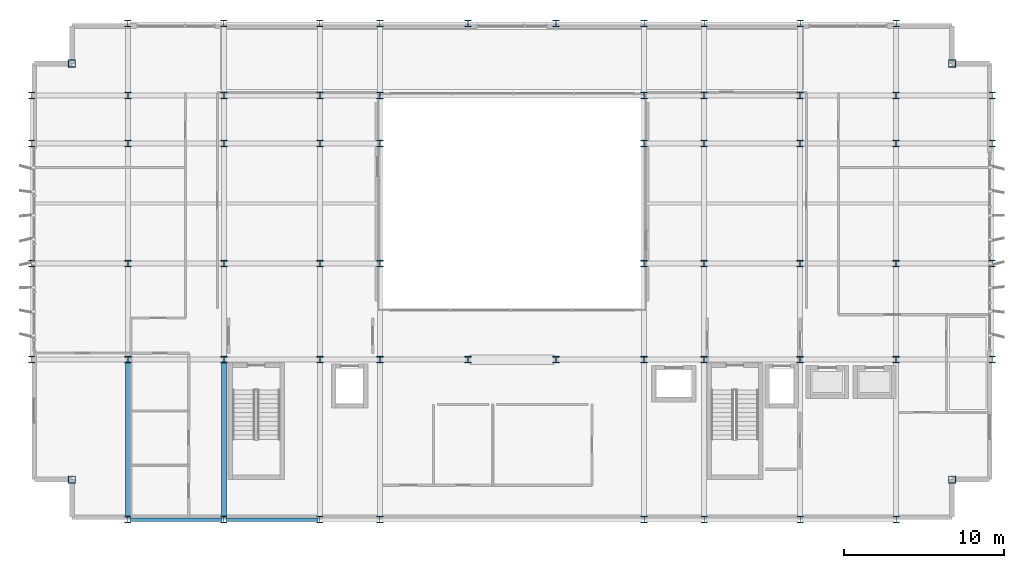
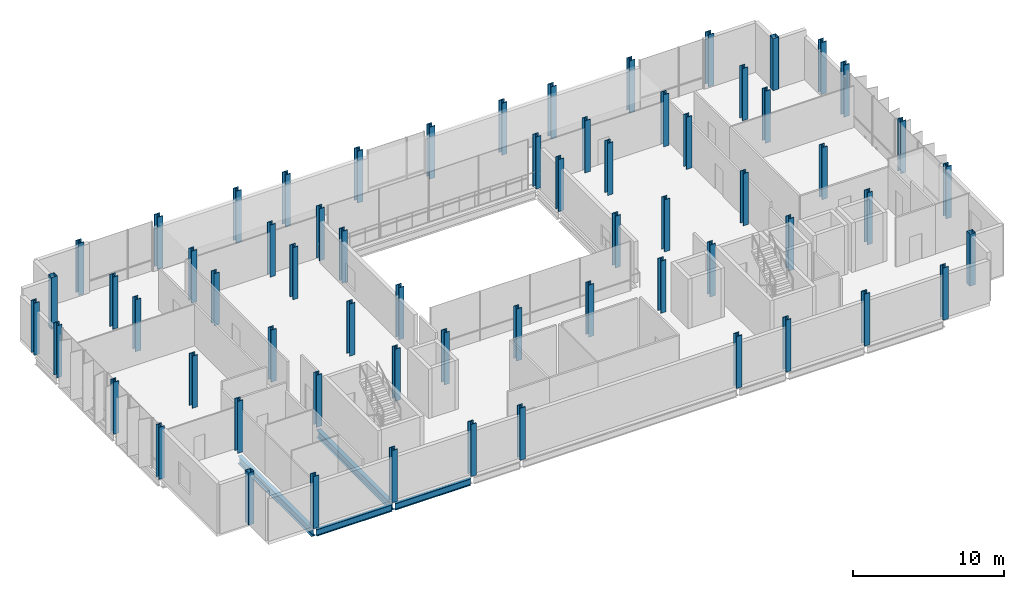
# One storey, part 1 of 32: 64 columns, 4 beams.
"""IFC4 building model written with IfcOpenShell, lengths in metres."""

from ifc_helpers import new_model, si_unit, direction, frame, origin, origin_2d, place, context, subcontext, project, spatial, hollow_rectangle, i_section, extrude, material, material_profile, profile_set, type_object, element, save


model = new_model("IFC4")

# Units and contexts
model_context = context("Model", 3, precision=1e-05, world=origin(), true_north=direction((0.0, 1.0)))
body_context = subcontext(model_context, "Body", "Model", "MODEL_VIEW")
ifc_project = project(units=[si_unit("LENGTHUNIT", "METRE"), si_unit("AREAUNIT", "SQUARE_METRE"), si_unit("VOLUMEUNIT", "CUBIC_METRE"), si_unit("PLANEANGLEUNIT", "RADIAN"), si_unit("MASSUNIT", "GRAM", prefix="KILO")], contexts=[model_context])

# Site, building, storey
site_placement = place(None, origin())
site = spatial("IfcSite", under=ifc_project, at=site_placement, CompositionType="ELEMENT")
building_placement = place(site_placement, origin())
building = spatial("IfcBuilding", under=site, at=building_placement, Name="Brevholm Reach", CompositionType="ELEMENT")
storey_placement = place(building_placement, frame((0.0, 0.0, 134.5)))
storey = spatial("IfcBuildingStorey", under=building, at=storey_placement, Name="L40", CompositionType="ELEMENT", Elevation=134.5)

# Columns
ifc_material_1 = material(Name="Structural Steel S460NH", Category="steel")
ifc_material_profile_1 = material_profile(ifc_material_1, hollow_rectangle(XDim=0.449951171875, YDim=0.449951171875, WallThickness=0.02490234375, InnerFilletRadius=0.011962890625, OuterFilletRadius=0.02392578125, at=origin_2d()), Name="SHS 450x450x25")
ifc_profile_set_1 = profile_set([ifc_material_profile_1], Name="Structural Steel S460NH")
column_type_1 = type_object("IfcColumnType", Name="COL-SHS1", PredefinedType="COLUMN", material=ifc_profile_set_1)
for number, where, z_axis, x_axis, name in (
    (1, (2.5, 2.5, 0.0), (0.0, 0.0, 1.0), (1.0, 0.0, 0.0), "L40 Column 05"),
    (2, (2.5, 28.5, 0.0), (0.0, 0.0, 1.0), (1.0, 0.0, 0.0), "L40 Column 06"),
    (3, (57.5, 2.5, 0.0), (0.0, 0.0, 1.0), (1.0, 0.0, 0.0), "L40 Column 59"),
    (4, (57.5, 28.5, 0.0), (0.0, 0.0, 1.0), (1.0, 0.0, 0.0), "L40 Column 60"),
):
    element("IfcColumn", number, at=place(storey_placement, frame(where, z_axis=z_axis, x_axis=x_axis)), inside=storey, type_object=column_type_1, Name=name, PredefinedType="COLUMN", context=body_context, shape_type="SweptSolid", body=[
        extrude(hollow_rectangle(XDim=0.449951171875, YDim=0.449951171875, WallThickness=0.02490234375, InnerFilletRadius=0.011962890625, OuterFilletRadius=0.02392578125, at=origin_2d()), origin(), (0.0, 0.0, 1.0), 4.199951171875),
    ])
ifc_material_2 = material(Name="Structural Steel S460ML", Category="steel")
ifc_material_profile_2 = material_profile(ifc_material_2, i_section(OverallWidth=0.412109375, OverallDepth=0.4365234375, WebThickness=0.035888671875, FlangeThickness=0.05810546875, FilletRadius=0.01513671875, at=origin_2d()), Name="UKC 356x406x467")
ifc_profile_set_2 = profile_set([ifc_material_profile_2], Name="Structural Steel S460ML")
column_type_2 = type_object("IfcColumnType", Name="COL-UC3", PredefinedType="COLUMN", material=ifc_profile_set_2)
for number, where, z_axis, x_axis, name in (
    (5, (0.0, 10.0, 0.0), (0.0, 0.0, 1.0), (1.0, 0.0, 0.0), "L40 Column 01"),
    (6, (0.0, 16.0, 0.0), (0.0, 0.0, 1.0), (1.0, 0.0, 0.0), "L40 Column 02"),
    (7, (0.0, 23.5, 0.0), (0.0, 0.0, 1.0), (1.0, 0.0, 0.0), "L40 Column 03"),
    (8, (0.0, 26.5, 0.0), (0.0, 0.0, 1.0), (1.0, 0.0, 0.0), "L40 Column 04"),
    (9, (6.0, 0.0, 0.0), (0.0, 0.0, 1.0), (1.0, 0.0, 0.0), "L40 Column 07"),
    (10, (6.0, 31.0, 0.0), (0.0, 0.0, 1.0), (1.0, 0.0, 0.0), "L40 Column 12"),
    (11, (12.0, 0.0, 0.0), (0.0, 0.0, 1.0), (1.0, 0.0, 0.0), "L40 Column 13"),
    (12, (12.0, 31.0, 0.0), (0.0, 0.0, 1.0), (1.0, 0.0, 0.0), "L40 Column 18"),
    (13, (18.0, 0.0, 0.0), (0.0, 0.0, 1.0), (1.0, 0.0, 0.0), "L40 Column 19"),
    (14, (18.0, 31.0, 0.0), (0.0, 0.0, 1.0), (1.0, 0.0, 0.0), "L40 Column 24"),
    (15, (21.75, 0.0, 0.0), (0.0, 0.0, 1.0), (1.0, 0.0, 0.0), "L40 Column 25"),
    (16, (21.75, 31.0, 0.0), (0.0, 0.0, 1.0), (1.0, 0.0, 0.0), "L40 Column 30"),
    (17, (27.25, 31.0, 0.0), (0.0, 0.0, 1.0), (1.0, 0.0, 0.0), "L40 Column 32"),
    (18, (32.75, 31.0, 0.0), (0.0, 0.0, 1.0), (1.0, 0.0, 0.0), "L40 Column 34"),
    (19, (38.25, 0.0, 0.0), (0.0, 0.0, 1.0), (1.0, 0.0, 0.0), "L40 Column 35"),
    (20, (38.25, 31.0, 0.0), (0.0, 0.0, 1.0), (1.0, 0.0, 0.0), "L40 Column 40"),
    (21, (42.0, 0.0, 0.0), (0.0, 0.0, 1.0), (1.0, 0.0, 0.0), "L40 Column 41"),
    (22, (42.0, 31.0, 0.0), (0.0, 0.0, 1.0), (1.0, 0.0, 0.0), "L40 Column 46"),
    (23, (48.0, 0.0, 0.0), (0.0, 0.0, 1.0), (1.0, 0.0, 0.0), "L40 Column 47"),
    (24, (48.0, 31.0, 0.0), (0.0, 0.0, 1.0), (1.0, 0.0, 0.0), "L40 Column 52"),
    (25, (54.0, 0.0, 0.0), (0.0, 0.0, 1.0), (1.0, 0.0, 0.0), "L40 Column 53"),
    (26, (54.0, 31.0, 0.0), (0.0, 0.0, 1.0), (1.0, 0.0, 0.0), "L40 Column 58"),
    (27, (60.0, 10.0, 0.0), (0.0, 0.0, 1.0), (1.0, 0.0, 0.0), "L40 Column 61"),
    (28, (60.0, 16.0, 0.0), (0.0, 0.0, 1.0), (1.0, 0.0, 0.0), "L40 Column 62"),
    (29, (60.0, 23.5, 0.0), (0.0, 0.0, 1.0), (1.0, 0.0, 0.0), "L40 Column 63"),
    (30, (60.0, 26.5, 0.0), (0.0, 0.0, 1.0), (1.0, 0.0, 0.0), "L40 Column 64"),
):
    element("IfcColumn", number, at=place(storey_placement, frame(where, z_axis=z_axis, x_axis=x_axis)), inside=storey, type_object=column_type_2, Name=name, PredefinedType="COLUMN", context=body_context, shape_type="SweptSolid", body=[
        extrude(i_section(OverallWidth=0.412109375, OverallDepth=0.4365234375, WebThickness=0.035888671875, FlangeThickness=0.05810546875, FilletRadius=0.01513671875, at=origin_2d()), origin(), (0.0, 0.0, 1.0), 4.199951171875),
    ])
ifc_material_3 = material(Name="Structural Steel S355J2", Category="steel")
ifc_material_profile_3 = material_profile(ifc_material_3, i_section(OverallWidth=0.406982421875, OverallDepth=0.4189453125, WebThickness=0.030517578125, FlangeThickness=0.04931640625, FilletRadius=0.01513671875, at=origin_2d()), Name="UKC 356x406x393")
ifc_profile_set_3 = profile_set([ifc_material_profile_3], Name="Structural Steel S355J2")
column_type_3 = type_object("IfcColumnType", Name="COL-UC4", PredefinedType="COLUMN", material=ifc_profile_set_3)
for number, where, z_axis, x_axis, name in (
    (31, (6.0, 10.0, 0.0), (0.0, 0.0, 1.0), (1.0, 0.0, 0.0), "L40 Column 08"),
    (32, (6.0, 16.0, 0.0), (0.0, 0.0, 1.0), (1.0, 0.0, 0.0), "L40 Column 09"),
    (33, (6.0, 23.5, 0.0), (0.0, 0.0, 1.0), (1.0, 0.0, 0.0), "L40 Column 10"),
    (34, (6.0, 26.5, 0.0), (0.0, 0.0, 1.0), (1.0, 0.0, 0.0), "L40 Column 11"),
    (35, (12.0, 10.0, 0.0), (0.0, 0.0, 1.0), (1.0, 0.0, 0.0), "L40 Column 14"),
    (36, (12.0, 16.0, 0.0), (0.0, 0.0, 1.0), (1.0, 0.0, 0.0), "L40 Column 15"),
    (37, (12.0, 23.5, 0.0), (0.0, 0.0, 1.0), (1.0, 0.0, 0.0), "L40 Column 16"),
    (38, (12.0, 26.5, 0.0), (0.0, 0.0, 1.0), (1.0, 0.0, 0.0), "L40 Column 17"),
    (39, (18.0, 10.0, 0.0), (0.0, 0.0, 1.0), (1.0, 0.0, 0.0), "L40 Column 20"),
    (40, (18.0, 16.0, 0.0), (0.0, 0.0, 1.0), (1.0, 0.0, 0.0), "L40 Column 21"),
    (41, (18.0, 23.5, 0.0), (0.0, 0.0, 1.0), (1.0, 0.0, 0.0), "L40 Column 22"),
    (42, (18.0, 26.5, 0.0), (0.0, 0.0, 1.0), (1.0, 0.0, 0.0), "L40 Column 23"),
    (43, (21.75, 10.0, 0.0), (0.0, 0.0, 1.0), (1.0, 0.0, 0.0), "L40 Column 26"),
    (44, (21.75, 16.0, 0.0), (0.0, 0.0, 1.0), (1.0, 0.0, 0.0), "L40 Column 27"),
    (45, (21.75, 23.5, 0.0), (0.0, 0.0, 1.0), (1.0, 0.0, 0.0), "L40 Column 28"),
    (46, (21.75, 26.5, 0.0), (0.0, 0.0, 1.0), (1.0, 0.0, 0.0), "L40 Column 29"),
    (47, (27.25, 10.0, 0.0), (0.0, 0.0, 1.0), (1.0, 0.0, 0.0), "L40 Column 31"),
    (48, (32.75, 10.0, 0.0), (0.0, 0.0, 1.0), (1.0, 0.0, 0.0), "L40 Column 33"),
    (49, (38.25, 10.0, 0.0), (0.0, 0.0, 1.0), (1.0, 0.0, 0.0), "L40 Column 36"),
    (50, (38.25, 16.0, 0.0), (0.0, 0.0, 1.0), (1.0, 0.0, 0.0), "L40 Column 37"),
    (51, (38.25, 23.5, 0.0), (0.0, 0.0, 1.0), (1.0, 0.0, 0.0), "L40 Column 38"),
    (52, (38.25, 26.5, 0.0), (0.0, 0.0, 1.0), (1.0, 0.0, 0.0), "L40 Column 39"),
    (53, (42.0, 10.0, 0.0), (0.0, 0.0, 1.0), (1.0, 0.0, 0.0), "L40 Column 42"),
    (54, (42.0, 16.0, 0.0), (0.0, 0.0, 1.0), (1.0, 0.0, 0.0), "L40 Column 43"),
    (55, (42.0, 23.5, 0.0), (0.0, 0.0, 1.0), (1.0, 0.0, 0.0), "L40 Column 44"),
    (56, (42.0, 26.5, 0.0), (0.0, 0.0, 1.0), (1.0, 0.0, 0.0), "L40 Column 45"),
    (57, (48.0, 10.0, 0.0), (0.0, 0.0, 1.0), (1.0, 0.0, 0.0), "L40 Column 48"),
    (58, (48.0, 16.0, 0.0), (0.0, 0.0, 1.0), (1.0, 0.0, 0.0), "L40 Column 49"),
    (59, (48.0, 23.5, 0.0), (0.0, 0.0, 1.0), (1.0, 0.0, 0.0), "L40 Column 50"),
    (60, (48.0, 26.5, 0.0), (0.0, 0.0, 1.0), (1.0, 0.0, 0.0), "L40 Column 51"),
    (61, (54.0, 10.0, 0.0), (0.0, 0.0, 1.0), (1.0, 0.0, 0.0), "L40 Column 54"),
    (62, (54.0, 16.0, 0.0), (0.0, 0.0, 1.0), (1.0, 0.0, 0.0), "L40 Column 55"),
    (63, (54.0, 23.5, 0.0), (0.0, 0.0, 1.0), (1.0, 0.0, 0.0), "L40 Column 56"),
    (64, (54.0, 26.5, 0.0), (0.0, 0.0, 1.0), (1.0, 0.0, 0.0), "L40 Column 57"),
):
    element("IfcColumn", number, at=place(storey_placement, frame(where, z_axis=z_axis, x_axis=x_axis)), inside=storey, type_object=column_type_3, Name=name, PredefinedType="COLUMN", context=body_context, shape_type="SweptSolid", body=[
        extrude(i_section(OverallWidth=0.406982421875, OverallDepth=0.4189453125, WebThickness=0.030517578125, FlangeThickness=0.04931640625, FilletRadius=0.01513671875, at=origin_2d()), origin(), (0.0, 0.0, 1.0), 4.199951171875),
    ])

# Beams
ifc_material_4 = material(Name="Structural Steel S355J2", Category="steel")
ifc_material_profile_4 = material_profile(ifc_material_4, i_section(OverallWidth=0.210693359375, OverallDepth=0.53955078125, WebThickness=0.01171875, FlangeThickness=0.018798828125, FilletRadius=0.0126953125, at=origin_2d()), Name="UKB 533x210x109")
ifc_profile_set_4 = profile_set([ifc_material_profile_4], Name="Structural Steel S355J2")
beam_type_1 = type_object("IfcBeamType", Name="BM-SP539", PredefinedType="SPANDREL", material=ifc_profile_set_4)
for number, where, z_axis, x_axis, name in (
    (65, (6.1201171875, 0.0, -0.519775390625), (1.0, 0.0, 0.0), (0.0, 1.0, 0.0), "L40 SP-01B Framing Beam"),
    (66, (12.1201171875, 0.0, -0.519775390625), (1.0, 0.0, 0.0), (0.0, 1.0, 0.0), "L40 SP-01B Framing Beam"),
):
    element("IfcBeam", number, at=place(storey_placement, frame(where, z_axis=z_axis, x_axis=x_axis)), inside=storey, type_object=beam_type_1, Name=name, PredefinedType="SPANDREL", context=body_context, shape_type="SweptSolid", body=[
        extrude(i_section(OverallWidth=0.210693359375, OverallDepth=0.53955078125, WebThickness=0.01171875, FlangeThickness=0.018798828125, FilletRadius=0.0126953125, at=origin_2d()), origin(), (0.0, 0.0, 1.0), 5.759765625),
    ])
ifc_material_5 = material(Name="Structural Steel S355J2", Category="steel")
ifc_material_profile_5 = material_profile(ifc_material_5, i_section(OverallWidth=0.30712890625, OverallDepth=0.6201171875, WebThickness=0.01416015625, FlangeThickness=0.023681640625, FilletRadius=0.0166015625, at=origin_2d()), Name="UKB 610x305x179")
ifc_profile_set_5 = profile_set([ifc_material_profile_5], Name="Structural Steel S355J2")
beam_type_2 = type_object("IfcBeamType", Name="BM-UKB610H", PredefinedType="USERDEFINED", material=ifc_profile_set_5)
for number, where, z_axis, x_axis, name in (
    (67, (6.0, 0.1201171875, -0.56005859375), (0.0, 1.0, 0.0), (-1.0, 0.0, 0.0), "L40 G-06 Framing Beam"),
    (68, (12.0, 0.1201171875, -0.56005859375), (0.0, 1.0, 0.0), (-1.0, 0.0, 0.0), "L40 G-06 Framing Beam"),
):
    element("IfcBeam", number, at=place(storey_placement, frame(where, z_axis=z_axis, x_axis=x_axis)), inside=storey, type_object=beam_type_2, Name=name, ObjectType="GIRDER", PredefinedType="USERDEFINED", context=body_context, shape_type="SweptSolid", body=[
        extrude(i_section(OverallWidth=0.30712890625, OverallDepth=0.6201171875, WebThickness=0.01416015625, FlangeThickness=0.023681640625, FilletRadius=0.0166015625, at=origin_2d()), origin(), (0.0, 0.0, 1.0), 9.759765625),
    ])

save(model, "model.ifc")
